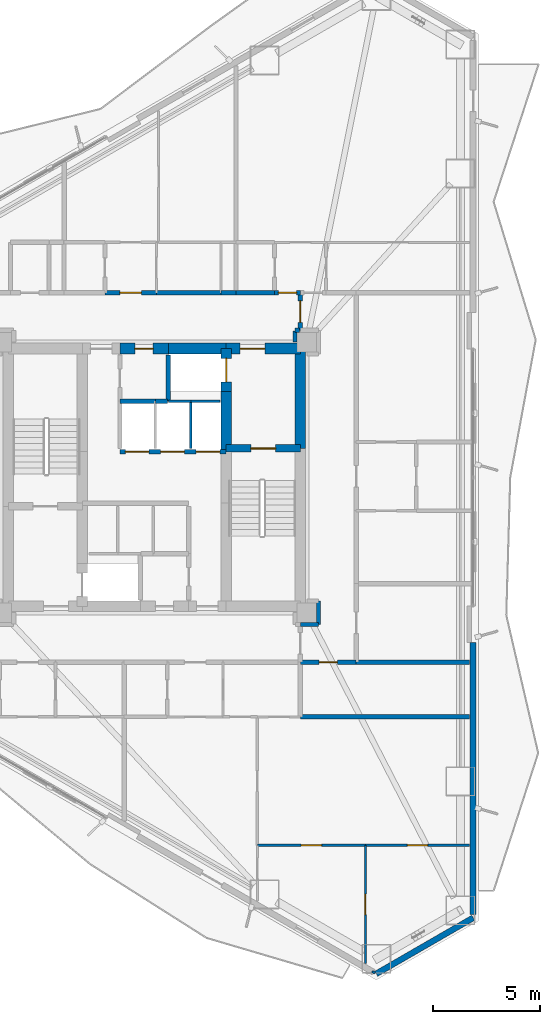
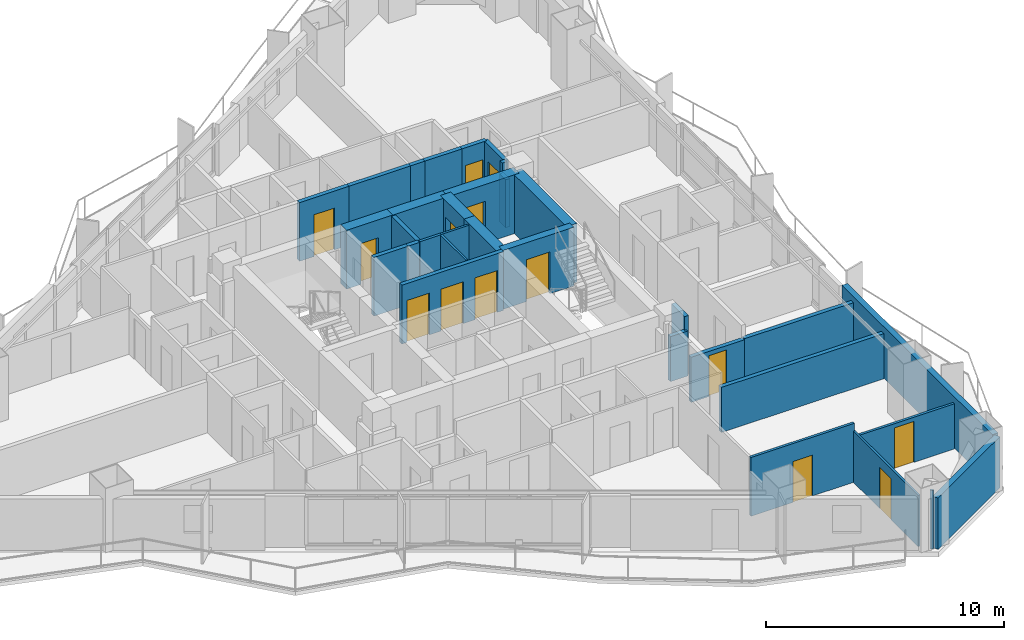
# One storey, part 14 of 18: 33 walls, 14 doors, 14 openings.
"""IFC4 building model written with IfcOpenShell, lengths in metres."""

import ifcopenshell
import ifcopenshell.guid

model = None  # the IFC model being written
_history = None  # IfcOwnerHistory: only IFC2X3 demands one
_inside = {}  # id of a spatial element -> (the spatial element, [elements in it])
_under = {}  # id of a project, library or spatial element -> (it, [spatial elements below it])
_declared = {}  # id of a project -> (the project, [libraries it declares])
_typed = {}  # id of a type object -> (the type object, [elements of that type])
_made_of = {}  # id of a material, layer set ... -> (it, [elements and type objects made of it])


def new_model(schema):
    """Start an empty IFC model of exactly this schema.

    Asked for "IFC4X3", IfcOpenShell would pick the latest addendum, in which some entities
    have other attributes; the version numbers below select the first issue.
    IFC2X3 requires an IfcOwnerHistory on every rooted entity: one is made here for all.
    """
    global model, _history
    if schema == "IFC4X3":
        model = ifcopenshell.file(schema_version=(4, 3, 0, 0))
    else:
        model = ifcopenshell.file(schema=schema)
    _inside.clear()
    _under.clear()
    _declared.clear()
    _typed.clear()
    _made_of.clear()
    _history = None
    if model.schema == "IFC2X3":
        org = make("IfcOrganization", Name="unknown")
        user = make(
            "IfcPersonAndOrganization",
            ThePerson=make("IfcPerson", FamilyName="unknown"),
            TheOrganization=org,
        )
        app = make(
            "IfcApplication",
            ApplicationDeveloper=org,
            Version="unknown",
            ApplicationFullName="unknown",
            ApplicationIdentifier="unknown",
        )
        _history = make(
            "IfcOwnerHistory",
            OwningUser=user,
            OwningApplication=app,
            ChangeAction="ADDED",
            CreationDate=0,
        )
    return model


def make(cls, **values):
    """One entity of the class cls with the attributes given. An attribute that is None is left unset."""
    return model.create_entity(
        cls, **{name: value for name, value in values.items() if value is not None}
    )


def rooted(cls, **values):
    """An entity with a GlobalId (a new one), such as an element, a storey or a relation."""
    return make(cls, GlobalId=ifcopenshell.guid.new(), OwnerHistory=_history, **values)


def si_unit(unit_type, name, prefix=None):
    """IfcSIUnit, for example si_unit("LENGTHUNIT", "METRE", prefix="MILLI")."""
    return make("IfcSIUnit", UnitType=unit_type, Prefix=prefix, Name=name)


def assignment(units):
    """IfcUnitAssignment: the units of a project."""
    return None if units is None else make("IfcUnitAssignment", Units=units)


def point(xyz):
    """IfcCartesianPoint."""
    return None if xyz is None else make("IfcCartesianPoint", Coordinates=xyz)


def direction(xyz):
    """IfcDirection."""
    return None if xyz is None else make("IfcDirection", DirectionRatios=xyz)


def frame(location, z_axis=None, x_axis=None):
    """IfcAxis2Placement3D, a coordinate frame: its origin and axes. An axis left out is left unset."""
    return make(
        "IfcAxis2Placement3D",
        Location=point(location),
        Axis=direction(z_axis),
        RefDirection=direction(x_axis),
    )


def frame_2d(location, x_axis=None):
    """IfcAxis2Placement2D, a coordinate frame in the plane: its origin and x axis."""
    return make(
        "IfcAxis2Placement2D", Location=point(location), RefDirection=direction(x_axis)
    )


def origin():
    """The frame at (0, 0, 0) with its axes left unset."""
    return frame((0.0, 0.0, 0.0))


def place(relative_to, where):
    """IfcLocalPlacement: puts the frame where relative to a parent placement (None: the world)."""
    return make(
        "IfcLocalPlacement", PlacementRelTo=relative_to, RelativePlacement=where
    )


def context(
    kind, dimensions, precision=None, world=None, true_north=None, identifier=None
):
    """IfcGeometricRepresentationContext, for example the 3D "Model" context."""
    return make(
        "IfcGeometricRepresentationContext",
        ContextIdentifier=identifier,
        ContextType=kind,
        CoordinateSpaceDimension=dimensions,
        Precision=precision,
        WorldCoordinateSystem=world,
        TrueNorth=true_north,
    )


def subcontext(parent, identifier, kind, view, scale=None):
    """IfcGeometricRepresentationSubContext, for example "Body" below "Model"."""
    return make(
        "IfcGeometricRepresentationSubContext",
        ContextIdentifier=identifier,
        ContextType=kind,
        ParentContext=parent,
        TargetScale=scale,
        TargetView=view,
    )


def project(units=None, contexts=None):
    """IfcProject with its units and contexts."""
    return rooted(
        "IfcProject",
        Name="project",
        RepresentationContexts=contexts,
        UnitsInContext=assignment(units),
    )


def spatial(cls, under=None, at=None, **own):
    """A site, building, storey or space (cls), placed at a placement, below another one or the project."""
    s = rooted(cls, ObjectPlacement=at, **own)
    if under is not None:
        _under.setdefault(under.id(), (under, []))[1].append(s)
    return s


def profile(cls, at=None, kind="AREA", **sizes):
    """A parametric profile (cls). Its sizes go by their IFC names, for example OverallWidth=200.0."""
    return make(cls, ProfileType=kind, Position=at, **sizes)


def rectangle(**sizes):
    """IfcRectangleProfileDef."""
    return profile("IfcRectangleProfileDef", **sizes)


def extrude(swept, where, along, depth):
    """IfcExtrudedAreaSolid: the profile swept, set in the frame where, extruded along a direction by depth."""
    return make(
        "IfcExtrudedAreaSolid",
        SweptArea=swept,
        Position=where,
        ExtrudedDirection=direction(along),
        Depth=depth,
    )


def shape(context_of_items, identifier, shape_type, items):
    """IfcShapeRepresentation: the items that make up one representation, for example the "Body"."""
    return make(
        "IfcShapeRepresentation",
        ContextOfItems=context_of_items,
        RepresentationIdentifier=identifier,
        RepresentationType=shape_type,
        Items=items,
    )


def material(Name=None, Category=None):
    """IfcMaterial."""
    return make("IfcMaterial", Name=Name, Category=Category)


def layer(
    of_material, thickness, ventilated=None, Name=None, Category=None, Priority=None
):
    """IfcMaterialLayer: one layer of a wall or slab, of a material (None: an air gap)."""
    return make(
        "IfcMaterialLayer",
        Material=of_material,
        LayerThickness=thickness,
        IsVentilated=ventilated,
        Name=Name,
        Category=Category,
        Priority=Priority,
    )


def layer_set(layers, Name=None):
    """IfcMaterialLayerSet."""
    return make("IfcMaterialLayerSet", MaterialLayers=layers, LayerSetName=Name)


def made_of(thing, what):
    """Note that an element or type object is made of a material, layer set ...; save() writes the relation."""
    if what is not None:
        _made_of.setdefault(what.id(), (what, []))[1].append(thing)
    return thing


def type_object(cls, material=None, **own):
    """A type object (cls), such as IfcWallType, which elements share."""
    return made_of(rooted(cls, **own), material)


def element(
    cls,
    number,
    at=None,
    inside=None,
    cuts=None,
    type_object=None,
    material=None,
    context=None,
    identifier="Body",
    shape_type=None,
    held_by="IfcProductDefinitionShape",
    body=None,
    shapes=None,
    **own,
):
    """One element of the class cls, such as IfcWall. Its Tag is "e" and its number.

    at: its placement. inside: the storey or other place that contains it. cuts: it is an
    opening in that element (IfcRelVoidsElement). A single representation is given by context,
    identifier, shape_type and body (its items); several are given by shapes. held_by: the class
    of the entity that holds the representations. save() writes the other relations.
    """
    e = rooted(cls, Tag="e%d" % number, ObjectPlacement=at, **own)
    if body is not None:
        shapes = [shape(context, identifier, shape_type, body)]
    if shapes is not None:
        e.Representation = make(held_by, Representations=shapes)
    if inside is not None:
        _inside.setdefault(inside.id(), (inside, []))[1].append(e)
    if cuts is not None:
        rooted(
            "IfcRelVoidsElement", RelatingBuildingElement=cuts, RelatedOpeningElement=e
        )
    if type_object is not None:
        _typed.setdefault(type_object.id(), (type_object, []))[1].append(e)
    return made_of(e, material)


def fill(opening, filler):
    """IfcRelFillsElement: the door or window that sits in an opening."""
    return rooted(
        "IfcRelFillsElement",
        RelatingOpeningElement=opening,
        RelatedBuildingElement=filler,
    )


def aggregate(whole, parts):
    """IfcRelAggregates: a whole, such as a stair, and the parts it consists of."""
    return rooted("IfcRelAggregates", RelatingObject=whole, RelatedObjects=parts)


def save(model, path):
    """Write the relations noted so far, then the file.

    IfcRelAggregates (storeys below a building ...), IfcRelContainedInSpatialStructure (elements
    in a storey), IfcRelDefinesByType, IfcRelAssociatesMaterial and IfcRelDeclares: one each for
    every whole, place, type object, material and project.
    """
    for whole, parts in _under.values():
        aggregate(whole, parts)
    for where, things in _inside.values():
        rooted(
            "IfcRelContainedInSpatialStructure",
            RelatedElements=things,
            RelatingStructure=where,
        )
    for kind, things in _typed.values():
        rooted("IfcRelDefinesByType", RelatedObjects=things, RelatingType=kind)
    for what, things in _made_of.values():
        rooted("IfcRelAssociatesMaterial", RelatedObjects=things, RelatingMaterial=what)
    for by, libraries in _declared.values():
        rooted("IfcRelDeclares", RelatingContext=by, RelatedDefinitions=libraries)
    model.write(path)


model = new_model("IFC4")

# Units and contexts
model_context = context("Model", 3, precision=1e-05, world=origin(), true_north=direction((0.0, 1.0)))
body_context = subcontext(model_context, "Body", "Model", "MODEL_VIEW")
ifc_project = project(units=[si_unit("LENGTHUNIT", "METRE"), si_unit("AREAUNIT", "SQUARE_METRE"), si_unit("VOLUMEUNIT", "CUBIC_METRE"), si_unit("PLANEANGLEUNIT", "RADIAN"), si_unit("MASSUNIT", "GRAM", prefix="KILO")], contexts=[model_context])

# Site, building, storey
site_placement = place(None, origin())
site = spatial("IfcSite", under=ifc_project, at=site_placement, CompositionType="ELEMENT")
building_placement = place(site_placement, origin())
building = spatial("IfcBuilding", under=site, at=building_placement, Name="Mersakhor Tower and Convention Hall", CompositionType="ELEMENT")
storey_placement = place(building_placement, frame((0.0, 0.0, 58.800048828125)))
storey = spatial("IfcBuildingStorey", under=building, at=storey_placement, Name="L16", CompositionType="ELEMENT", Elevation=58.800048828125)

# Walls
ifc_material_1 = material(Name="Precast concrete C45/55", Category="concrete")
ifc_layer_1 = layer(ifc_material_1, 0.27490234375)
ifc_layer_set_1 = layer_set([ifc_layer_1], Name="Precast concrete C45/55")
wall_type_1 = type_object("IfcWallType", Name="WL-EXT-275", PredefinedType="SOLIDWALL", material=ifc_layer_set_1)
wall_1_placement = place(storey_placement, frame((43.85009765625, 6.240234375, 0.0), z_axis=(0.0, 0.0, 1.0), x_axis=(-0.866043601342, -0.499968479581, 0.0)))
element("IfcWall", 1, at=wall_1_placement, inside=storey, type_object=wall_type_1, Name="L16 Chamfer Braced Spandrel Wall C2", PredefinedType="SOLIDWALL", context=body_context, shape_type="SweptSolid", body=[
    extrude(rectangle(XDim=5.211181640625, YDim=0.27490234375, at=frame_2d((2.60546875, 0.0))), origin(), (0.0, 0.0, 1.0), 2.639892578125),
])
wall_2_placement = place(storey_placement, frame((43.85009765625, 19.0634765625, 0.0), z_axis=(0.0, 0.0, 1.0), x_axis=(0.0, -1.0, 0.0)))
element("IfcWall", 2, at=wall_2_placement, inside=storey, type_object=wall_type_1, Name="L16 Exterior Facade Wall F2-B3", PredefinedType="SOLIDWALL", context=body_context, shape_type="SweptSolid", body=[
    extrude(rectangle(XDim=12.673095703125, YDim=0.27490234375, at=frame_2d((6.33642578125, 0.0))), origin(), (0.0, 0.0, 1.0), 2.639892578125),
])
ifc_material_2 = material(Name="Lightweight gypsum partition", Category="other")
ifc_layer_2 = layer(ifc_material_2, 0.10009765625)
ifc_layer_set_2 = layer_set([ifc_layer_2], Name="Lightweight gypsum partition")
wall_type_2 = type_object("IfcWallType", Name="WL-PRT-100", PredefinedType="PARTITIONING", material=ifc_layer_set_2)
wall_3_placement = place(storey_placement, frame((32.050048828125, 30.300048828125, 0.0), z_axis=(0.0, 0.0, 1.0), x_axis=(-1.0, 0.0, 0.0)))
element("IfcWall", 3, at=wall_3_placement, inside=storey, type_object=wall_type_2, Name="L16 Interior Partition Wall P-004", PredefinedType="PARTITIONING", context=body_context, shape_type="SweptSolid", body=[
    extrude(rectangle(XDim=1.35009765625, YDim=0.10009765625, at=frame_2d((0.675048828125, 0.0))), origin(), (0.0, 0.0, 1.0), 3.02001953125),
])
wall_4_placement = place(storey_placement, frame((30.699951171875, 30.300048828125, 0.0), z_axis=(0.0, 0.0, 1.0), x_axis=(0.0, -1.0, 0.0)))
element("IfcWall", 4, at=wall_4_placement, inside=storey, type_object=wall_type_2, Name="L16 Interior Partition Wall P-016", PredefinedType="PARTITIONING", context=body_context, shape_type="SweptSolid", body=[
    extrude(rectangle(XDim=2.199951171875, YDim=0.10009765625, at=frame_2d((1.10009765625, 0.0))), origin(), (0.0, 0.0, 1.0), 3.02001953125),
])

# Wall, opening, door
wall_5_placement = place(storey_placement, frame((38.830078125, 9.6201171875, 0.0), z_axis=(0.0, 0.0, 1.0), x_axis=(0.0, -1.0, 0.0)))
wall_5 = element("IfcWall", 5, at=wall_5_placement, inside=storey, type_object=wall_type_2, Name="L16 Interior Partition Wall P-134", PredefinedType="PARTITIONING", context=body_context, shape_type="SweptSolid", body=[
    extrude(rectangle(XDim=5.50634765625, YDim=0.10009765625, at=frame_2d((2.753173828125, 0.0))), origin(), (0.0, 0.0, 1.0), 2.63037109375),
])
opening_1_placement = place(wall_5_placement, frame((2.278076171875, 0.0, 0.0)))
opening_1 = element("IfcOpeningElement", 6, at=opening_1_placement, cuts=wall_5, Name="Opening RD-01", PredefinedType="OPENING", context=body_context, shape_type="SweptSolid", body=[
    extrude(rectangle(XDim=0.949951171875, YDim=2.10009765625, at=frame_2d((0.47509765625, 1.050048828125))), frame((0.0, 0.06005859375, 0.0), z_axis=(0.0, -1.0, 0.0), x_axis=(1.0, 0.0, 0.0)), (0.0, 0.0, 1.0), 0.1201171875),
])
ifc_material_3 = material(Name="Solid-core hardwood leaf in painted steel frame", Category="steel")
door_type_1 = type_object("IfcDoorType", Name="DR-INT-RM-095x210", OperationType="NOTDEFINED", PredefinedType="DOOR", material=ifc_material_3)
door_1_placement = place(opening_1_placement, origin())
door_1 = element("IfcDoor", 7, at=door_1_placement, inside=storey, type_object=door_type_1, Name="L16 L16 Flat S5 Bedroom 1 to L16 Flat S5 Study Room Door", OperationType="SINGLE_SWING_LEFT", OverallHeight=2.10009765625, OverallWidth=0.949951171875, PredefinedType="DOOR", context=body_context, shape_type="SweptSolid", body=[
    extrude(rectangle(XDim=0.949951171875, YDim=2.10009765625, at=frame_2d((0.47509765625, 1.050048828125))), frame((0.0, 0.02490234375, 0.0), z_axis=(0.0, -1.0, 0.0), x_axis=(1.0, 0.0, 0.0)), (0.0, 0.0, 1.0), 0.050048828125),
])
fill(opening_1, door_1)

# Walls
wall_6_placement = place(storey_placement, frame((39.2724609375, 3.672119140625, 0.0), z_axis=(0.0, 0.0, 1.0), x_axis=(-0.866442544969, 0.49927679324, 0.0)))
element("IfcWall", 8, at=wall_6_placement, inside=storey, type_object=wall_type_2, Name="L16 Interior Partition Wall P-136", PredefinedType="PARTITIONING", context=body_context, shape_type="SweptSolid", body=[
    extrude(rectangle(XDim=0.142333984375, YDim=0.10009765625, at=frame_2d((0.0712890625, 0.0))), origin(), (0.0, 0.0, 1.0), 3.02001953125),
])
ifc_material_4 = material(Name="Gypsum board acoustic partition", Category="other")
ifc_layer_3 = layer(ifc_material_4, 0.125)
ifc_layer_set_3 = layer_set([ifc_layer_3], Name="Gypsum board acoustic partition")
wall_type_3 = type_object("IfcWallType", Name="WL-PRT-125", PredefinedType="PARTITIONING", material=ifc_layer_set_3)
wall_7_placement = place(storey_placement, frame((30.699951171875, 30.300048828125, 0.0), z_axis=(0.0, 0.0, 1.0), x_axis=(-1.0, 0.0, 0.0)))
element("IfcWall", 9, at=wall_7_placement, inside=storey, type_object=wall_type_3, Name="L16 Interior Partition Wall P-005", PredefinedType="PARTITIONING", context=body_context, shape_type="SweptSolid", body=[
    extrude(rectangle(XDim=1.050048828125, YDim=0.125, at=frame_2d((0.52490234375, 0.0))), origin(), (0.0, 0.0, 1.0), 3.02001953125),
])

# Wall, opening, door
wall_8_placement = place(storey_placement, frame((33.800048828125, 9.6201171875, 0.0), z_axis=(0.0, 0.0, 1.0), x_axis=(1.0, 0.0, 0.0)))
wall_8 = element("IfcWall", 10, at=wall_8_placement, inside=storey, type_object=wall_type_3, Name="L16 Interior Partition Wall P-133", PredefinedType="PARTITIONING", context=body_context, shape_type="SweptSolid", body=[
    extrude(rectangle(XDim=5.030029296875, YDim=0.125, at=frame_2d((2.51513671875, 0.0))), origin(), (0.0, 0.0, 1.0), 3.02001953125),
])
opening_2_placement = place(wall_8_placement, frame((2.0400390625, 0.0, 0.0)))
opening_2 = element("IfcOpeningElement", 11, at=opening_2_placement, cuts=wall_8, Name="Opening RD-01", PredefinedType="OPENING", context=body_context, shape_type="SweptSolid", body=[
    extrude(rectangle(XDim=0.949951171875, YDim=2.10009765625, at=frame_2d((0.47509765625, 1.050048828125))), frame((0.0, 0.072509765625, 0.0), z_axis=(0.0, -1.0, 0.0), x_axis=(1.0, 0.0, 0.0)), (0.0, 0.0, 1.0), 0.14501953125),
])
door_2_placement = place(opening_2_placement, origin())
door_2 = element("IfcDoor", 12, at=door_2_placement, inside=storey, type_object=door_type_1, Name="L16 L16 Flat S5 Bedroom 1 to L16 Flat S5 Dining Room Door", OperationType="SINGLE_SWING_RIGHT", OverallHeight=2.10009765625, OverallWidth=0.949951171875, PredefinedType="DOOR", context=body_context, shape_type="SweptSolid", body=[
    extrude(rectangle(XDim=0.949951171875, YDim=2.10009765625, at=frame_2d((0.47509765625, 1.050048828125))), frame((0.0, 0.02490234375, 0.0), z_axis=(0.0, -1.0, 0.0), x_axis=(1.0, 0.0, 0.0)), (0.0, 0.0, 1.0), 0.050048828125),
])
fill(opening_2, door_2)

wall_9_placement = place(storey_placement, frame((38.830078125, 9.6201171875, 0.0), z_axis=(0.0, 0.0, 1.0), x_axis=(1.0, 0.0, 0.0)))
wall_9 = element("IfcWall", 13, at=wall_9_placement, inside=storey, type_object=wall_type_3, Name="L16 Interior Partition Wall P-135", PredefinedType="PARTITIONING", context=body_context, shape_type="SweptSolid", body=[
    extrude(rectangle(XDim=4.8583984375, YDim=0.125, at=frame_2d((2.42919921875, 0.0))), origin(), (0.0, 0.0, 1.0), 2.3173828125),
])
opening_3_placement = place(wall_9_placement, frame((1.9541015625, 0.0, 0.0)))
opening_3 = element("IfcOpeningElement", 14, at=opening_3_placement, cuts=wall_9, Name="Opening RD-01", PredefinedType="OPENING", context=body_context, shape_type="SweptSolid", body=[
    extrude(rectangle(XDim=0.949951171875, YDim=2.10009765625, at=frame_2d((0.47509765625, 1.050048828125))), frame((0.0, 0.072509765625, 0.0), z_axis=(0.0, -1.0, 0.0), x_axis=(1.0, 0.0, 0.0)), (0.0, 0.0, 1.0), 0.14501953125),
])
door_3_placement = place(opening_3_placement, origin())
door_3 = element("IfcDoor", 15, at=door_3_placement, inside=storey, type_object=door_type_1, Name="L16 L16 Flat S5 Study Room to L16 Flat S5 Dining Room Door", OperationType="SINGLE_SWING_LEFT", OverallHeight=2.10009765625, OverallWidth=0.949951171875, PredefinedType="DOOR", context=body_context, shape_type="SweptSolid", body=[
    extrude(rectangle(XDim=0.949951171875, YDim=2.10009765625, at=frame_2d((0.47509765625, 1.050048828125))), frame((0.0, 0.02490234375, 0.0), z_axis=(0.0, -1.0, 0.0), x_axis=(1.0, 0.0, 0.0)), (0.0, 0.0, 1.0), 0.050048828125),
])
fill(opening_3, door_3)

# Wall, openings, doors
ifc_material_5 = material(Name="Acoustic concrete blockwork and gypsum board", Category="masonry")
ifc_layer_4 = layer(ifc_material_5, 0.199951171875)
ifc_layer_set_4 = layer_set([ifc_layer_4], Name="Acoustic concrete blockwork and gypsum board")
wall_type_4 = type_object("IfcWallType", Name="WL-PRT-200", PredefinedType="PARTITIONING", material=ifc_layer_set_4)
wall_10_placement = place(storey_placement, frame((27.39990234375, 27.949951171875, 0.0), z_axis=(0.0, 0.0, 1.0), x_axis=(1.0, 0.0, 0.0)))
wall_10 = element("IfcWall", 16, at=wall_10_placement, inside=storey, type_object=wall_type_4, Name="L16 Low-Rise Lift Bank Front Wall", PredefinedType="PARTITIONING", context=body_context, shape_type="SweptSolid", body=[
    extrude(rectangle(XDim=4.9501953125, YDim=0.199951171875, at=frame_2d((2.47509765625, 0.0))), origin(), (0.0, 0.0, 1.0), 3.02001953125),
])
opening_4_placement = place(wall_10_placement, frame((0.25, 0.0, 0.0)))
opening_4 = element("IfcOpeningElement", 17, at=opening_4_placement, cuts=wall_10, Name="Opening LD-P1", PredefinedType="OPENING", context=body_context, shape_type="SweptSolid", body=[
    extrude(rectangle(XDim=1.10009765625, YDim=2.14990234375, at=frame_2d((0.550048828125, 1.074951171875))), frame((0.0, 0.10986328125, 0.0), z_axis=(0.0, -1.0, 0.0), x_axis=(1.0, 0.0, 0.0)), (0.0, 0.0, 1.0), 0.219970703125),
])
opening_5_placement = place(wall_10_placement, frame((1.89990234375, 0.0, 0.0)))
opening_5 = element("IfcOpeningElement", 18, at=opening_5_placement, cuts=wall_10, Name="Opening LD-P2", PredefinedType="OPENING", context=body_context, shape_type="SweptSolid", body=[
    extrude(rectangle(XDim=1.10009765625, YDim=2.14990234375, at=frame_2d((0.550048828125, 1.074951171875))), frame((0.0, 0.10986328125, 0.0), z_axis=(0.0, -1.0, 0.0), x_axis=(1.0, 0.0, 0.0)), (0.0, 0.0, 1.0), 0.219970703125),
])
opening_6_placement = place(wall_10_placement, frame((3.550048828125, 0.0, 0.0)))
opening_6 = element("IfcOpeningElement", 19, at=opening_6_placement, cuts=wall_10, Name="Opening LD-P3", PredefinedType="OPENING", context=body_context, shape_type="SweptSolid", body=[
    extrude(rectangle(XDim=1.10009765625, YDim=2.14990234375, at=frame_2d((0.550048828125, 1.074951171875))), frame((0.0, 0.10986328125, 0.0), z_axis=(0.0, -1.0, 0.0), x_axis=(1.0, 0.0, 0.0)), (0.0, 0.0, 1.0), 0.219970703125),
])
ifc_material_6 = material(Name="Fire-rated brushed stainless steel sliding landing door", Category="steel")
door_type_2 = type_object("IfcDoorType", Name="DR-LIFT-SLD-110x215", OperationType="NOTDEFINED", PredefinedType="DOOR", material=ifc_material_6)
door_4_placement = place(opening_4_placement, origin())
door_4 = element("IfcDoor", 20, at=door_4_placement, inside=storey, type_object=door_type_2, Name="L16 Lift Landing Door LD-P1", OperationType="SLIDING_TO_LEFT", OverallHeight=2.14990234375, OverallWidth=1.10009765625, PredefinedType="DOOR", context=body_context, shape_type="SweptSolid", body=[
    extrude(rectangle(XDim=1.10009765625, YDim=2.14990234375, at=frame_2d((0.550048828125, 1.074951171875))), frame((0.0, 0.02490234375, 0.0), z_axis=(0.0, -1.0, 0.0), x_axis=(1.0, 0.0, 0.0)), (0.0, 0.0, 1.0), 0.050048828125),
])
fill(opening_4, door_4)
door_5_placement = place(opening_5_placement, origin())
door_5 = element("IfcDoor", 21, at=door_5_placement, inside=storey, type_object=door_type_2, Name="L16 Lift Landing Door LD-P2", OperationType="SLIDING_TO_LEFT", OverallHeight=2.14990234375, OverallWidth=1.10009765625, PredefinedType="DOOR", context=body_context, shape_type="SweptSolid", body=[
    extrude(rectangle(XDim=1.10009765625, YDim=2.14990234375, at=frame_2d((0.550048828125, 1.074951171875))), frame((0.0, 0.02490234375, 0.0), z_axis=(0.0, -1.0, 0.0), x_axis=(1.0, 0.0, 0.0)), (0.0, 0.0, 1.0), 0.050048828125),
])
fill(opening_5, door_5)
door_6_placement = place(opening_6_placement, origin())
door_6 = element("IfcDoor", 22, at=door_6_placement, inside=storey, type_object=door_type_2, Name="L16 Lift Landing Door LD-P3", OperationType="SLIDING_TO_LEFT", OverallHeight=2.14990234375, OverallWidth=1.10009765625, PredefinedType="DOOR", context=body_context, shape_type="SweptSolid", body=[
    extrude(rectangle(XDim=1.10009765625, YDim=2.14990234375, at=frame_2d((0.550048828125, 1.074951171875))), frame((0.0, 0.02490234375, 0.0), z_axis=(0.0, -1.0, 0.0), x_axis=(1.0, 0.0, 0.0)), (0.0, 0.0, 1.0), 0.050048828125),
])
fill(opening_6, door_6)

# Walls
wall_11_placement = place(storey_placement, frame((29.64990234375, 30.300048828125, 0.0), z_axis=(0.0, 0.0, 1.0), x_axis=(0.0, 1.0, 0.0)))
element("IfcWall", 23, at=wall_11_placement, inside=storey, type_object=wall_type_4, Name="L16 Interior Partition Wall P-006", PredefinedType="PARTITIONING", context=body_context, shape_type="SweptSolid", body=[
    extrude(rectangle(XDim=2.14990234375, YDim=0.199951171875, at=frame_2d((1.074951171875, 0.0))), origin(), (0.0, 0.0, 1.0), 3.02001953125),
])
wall_12_placement = place(storey_placement, frame((27.39990234375, 30.300048828125, 0.0), z_axis=(0.0, 0.0, 1.0), x_axis=(1.0, 0.0, 0.0)))
element("IfcWall", 24, at=wall_12_placement, inside=storey, type_object=wall_type_4, Name="L16 Interior Partition Wall P-012", PredefinedType="PARTITIONING", context=body_context, shape_type="SweptSolid", body=[
    extrude(rectangle(XDim=1.650146484375, YDim=0.199951171875, at=frame_2d((0.8251953125, 0.0))), origin(), (0.0, 0.0, 1.0), 3.02001953125),
])
wall_13_placement = place(storey_placement, frame((29.050048828125, 30.300048828125, 0.0), z_axis=(0.0, 0.0, 1.0), x_axis=(1.0, 0.0, 0.0)))
element("IfcWall", 25, at=wall_13_placement, inside=storey, type_object=wall_type_4, Name="L16 Interior Partition Wall P-015", PredefinedType="PARTITIONING", context=body_context, shape_type="SweptSolid", body=[
    extrude(rectangle(XDim=0.570068359375, YDim=0.199951171875, at=frame_2d((0.28515625, 0.0))), origin(), (0.0, 0.0, 1.0), 3.02001953125),
])

# Wall, opening, door
wall_14_placement = place(storey_placement, frame((26.699951171875, 35.35009765625, 0.0), z_axis=(0.0, 0.0, 1.0), x_axis=(1.0, 0.0, 0.0)))
wall_14 = element("IfcWall", 26, at=wall_14_placement, inside=storey, type_object=wall_type_4, Name="L16 Interior Partition Wall P-042", PredefinedType="PARTITIONING", context=body_context, shape_type="SweptSolid", body=[
    extrude(rectangle(XDim=2.400146484375, YDim=0.199951171875, at=frame_2d((1.2001953125, 0.0))), origin(), (0.0, 0.0, 1.0), 3.02001953125),
])
opening_7_placement = place(wall_14_placement, frame((0.699951171875, 0.0, 0.0)))
opening_7 = element("IfcOpeningElement", 27, at=opening_7_placement, cuts=wall_14, Name="Opening FD-01", PredefinedType="OPENING", context=body_context, shape_type="SweptSolid", body=[
    extrude(rectangle(XDim=1.0, YDim=2.14990234375, at=frame_2d((0.5, 1.074951171875))), frame((0.0, 0.10986328125, 0.0), z_axis=(0.0, -1.0, 0.0), x_axis=(1.0, 0.0, 0.0)), (0.0, 0.0, 1.0), 0.219970703125),
])
ifc_material_7 = material(Name="Fire-rated hardwood leaf and painted steel frame", Category="steel")
door_type_3 = type_object("IfcDoorType", Name="DR-INT-FLT-100x215", OperationType="NOTDEFINED", PredefinedType="DOOR", material=ifc_material_7)
door_7_placement = place(opening_7_placement, origin())
door_7 = element("IfcDoor", 28, at=door_7_placement, inside=storey, type_object=door_type_3, Name="L16 Apartment Entrance Door (Residential Ring Corridor to L16 Flat N2 Apartment Hall)", OperationType="SINGLE_SWING_RIGHT", OverallHeight=2.14990234375, OverallWidth=1.0, PredefinedType="DOOR", context=body_context, shape_type="SweptSolid", body=[
    extrude(rectangle(XDim=1.0, YDim=2.14990234375, at=frame_2d((0.5, 1.074951171875))), frame((0.0, 0.02490234375, 0.0), z_axis=(0.0, -1.0, 0.0), x_axis=(1.0, 0.0, 0.0)), (0.0, 0.0, 1.0), 0.050048828125),
])
fill(opening_7, door_7)

# Walls
wall_15_placement = place(storey_placement, frame((29.10009765625, 35.35009765625, 0.0), z_axis=(0.0, 0.0, 1.0), x_axis=(1.0, 0.0, 0.0)))
element("IfcWall", 29, at=wall_15_placement, inside=storey, type_object=wall_type_4, Name="L16 Interior Partition Wall P-043", PredefinedType="PARTITIONING", context=body_context, shape_type="SweptSolid", body=[
    extrude(rectangle(XDim=3.0, YDim=0.199951171875, at=frame_2d((1.5, 0.0))), origin(), (0.0, 0.0, 1.0), 3.02001953125),
])
wall_16_placement = place(storey_placement, frame((32.10009765625, 35.35009765625, 0.0), z_axis=(0.0, 0.0, 1.0), x_axis=(1.0, 0.0, 0.0)))
element("IfcWall", 30, at=wall_16_placement, inside=storey, type_object=wall_type_4, Name="L16 Interior Partition Wall P-044", PredefinedType="PARTITIONING", context=body_context, shape_type="SweptSolid", body=[
    extrude(rectangle(XDim=0.699951171875, YDim=0.199951171875, at=frame_2d((0.35009765625, 0.0))), origin(), (0.0, 0.0, 1.0), 3.02001953125),
])
wall_17_placement = place(storey_placement, frame((32.800048828125, 35.35009765625, 0.0), z_axis=(0.0, 0.0, 1.0), x_axis=(1.0, 0.0, 0.0)))
element("IfcWall", 31, at=wall_17_placement, inside=storey, type_object=wall_type_4, Name="L16 Interior Partition Wall P-045", PredefinedType="PARTITIONING", context=body_context, shape_type="SweptSolid", body=[
    extrude(rectangle(XDim=1.800048828125, YDim=0.199951171875, at=frame_2d((0.89990234375, 0.0))), origin(), (0.0, 0.0, 1.0), 3.02001953125),
])

# Wall, opening, door
wall_18_placement = place(storey_placement, frame((34.60009765625, 35.35009765625, 0.0), z_axis=(0.0, 0.0, 1.0), x_axis=(1.0, 0.0, 0.0)))
wall_18 = element("IfcWall", 32, at=wall_18_placement, inside=storey, type_object=wall_type_4, Name="L16 Interior Partition Wall P-046", PredefinedType="PARTITIONING", context=body_context, shape_type="SweptSolid", body=[
    extrude(rectangle(XDim=1.199951171875, YDim=0.199951171875, at=frame_2d((0.60009765625, 0.0))), origin(), (0.0, 0.0, 1.0), 3.02001953125),
])
opening_8_placement = place(wall_18_placement, frame((0.175048828125, 0.0, 0.0)))
opening_8 = element("IfcOpeningElement", 33, at=opening_8_placement, cuts=wall_18, Name="Opening SVD-01", PredefinedType="OPENING", context=body_context, shape_type="SweptSolid", body=[
    extrude(rectangle(XDim=0.85009765625, YDim=2.10009765625, at=frame_2d((0.425048828125, 1.050048828125))), frame((0.0, 0.10986328125, 0.0), z_axis=(0.0, -1.0, 0.0), x_axis=(1.0, 0.0, 0.0)), (0.0, 0.0, 1.0), 0.219970703125),
])
ifc_material_8 = material(Name="Fire-rated hardwood leaf and painted steel frame", Category="steel")
door_type_4 = type_object("IfcDoorType", Name="DR-INT-SVC-085x210", OperationType="NOTDEFINED", PredefinedType="DOOR", material=ifc_material_8)
door_8_placement = place(opening_8_placement, origin())
door_8 = element("IfcDoor", 34, at=door_8_placement, inside=storey, type_object=door_type_4, Name="L16 Apartment Entrance Door (Residential Ring Corridor to L16 Flat N3 Apartment Hall)", OperationType="SINGLE_SWING_LEFT", OverallHeight=2.10009765625, OverallWidth=0.85009765625, PredefinedType="DOOR", context=body_context, shape_type="SweptSolid", body=[
    extrude(rectangle(XDim=0.85009765625, YDim=2.10009765625, at=frame_2d((0.425048828125, 1.050048828125))), frame((0.0, 0.02490234375, 0.0), z_axis=(0.0, -1.0, 0.0), x_axis=(1.0, 0.0, 0.0)), (0.0, 0.0, 1.0), 0.050048828125),
])
fill(opening_8, door_8)

wall_19_placement = place(storey_placement, frame((35.800048828125, 35.35009765625, 0.0), z_axis=(0.0, 0.0, 1.0), x_axis=(0.0, -1.0, 0.0)))
wall_19 = element("IfcWall", 35, at=wall_19_placement, inside=storey, type_object=wall_type_4, Name="L16 Interior Partition Wall P-047", PredefinedType="PARTITIONING", context=body_context, shape_type="SweptSolid", body=[
    extrude(rectangle(XDim=1.75, YDim=0.199951171875, at=frame_2d((0.875, 0.0))), origin(), (0.0, 0.0, 1.0), 3.02001953125),
])
opening_9_placement = place(wall_19_placement, frame((0.375, 0.0, 0.0)))
opening_9 = element("IfcOpeningElement", 36, at=opening_9_placement, cuts=wall_19, Name="Opening FD-01", PredefinedType="OPENING", context=body_context, shape_type="SweptSolid", body=[
    extrude(rectangle(XDim=1.0, YDim=2.14990234375, at=frame_2d((0.5, 1.074951171875))), frame((0.0, 0.10986328125, 0.0), z_axis=(0.0, -1.0, 0.0), x_axis=(1.0, 0.0, 0.0)), (0.0, 0.0, 1.0), 0.219970703125),
])
door_9_placement = place(opening_9_placement, origin())
door_9 = element("IfcDoor", 37, at=door_9_placement, inside=storey, type_object=door_type_3, Name="L16 Ring Corridor Fire Door", OperationType="SINGLE_SWING_LEFT", OverallHeight=2.14990234375, OverallWidth=1.0, PredefinedType="DOOR", context=body_context, shape_type="SweptSolid", body=[
    extrude(rectangle(XDim=1.0, YDim=2.14990234375, at=frame_2d((0.5, 1.074951171875))), frame((0.0, 0.02490234375, 0.0), z_axis=(0.0, -1.0, 0.0), x_axis=(1.0, 0.0, 0.0)), (0.0, 0.0, 1.0), 0.050048828125),
])
fill(opening_9, door_9)

# Walls
wall_20_placement = place(storey_placement, frame((35.77001953125, 33.60009765625, 0.0), z_axis=(0.0, 0.0, 1.0), x_axis=(-1.0, 0.0, 0.0)))
element("IfcWall", 38, at=wall_20_placement, inside=storey, type_object=wall_type_4, Name="L16 Interior Partition Wall P-048", PredefinedType="PARTITIONING", context=body_context, shape_type="SweptSolid", body=[
    extrude(rectangle(XDim=0.219970703125, YDim=0.199951171875, at=frame_2d((0.10986328125, 0.0))), origin(), (0.0, 0.0, 1.0), 3.02001953125),
])
wall_21_placement = place(storey_placement, frame((35.550048828125, 33.570068359375, 0.0), z_axis=(0.0, 0.0, 1.0), x_axis=(0.0, -1.0, 0.0)))
element("IfcWall", 39, at=wall_21_placement, inside=storey, type_object=wall_type_4, Name="L16 Interior Partition Wall P-049", PredefinedType="PARTITIONING", context=body_context, shape_type="SweptSolid", body=[
    extrude(rectangle(XDim=0.52001953125, YDim=0.199951171875, at=frame_2d((0.260009765625, 0.0))), origin(), (0.0, 0.0, 1.0), 2.46826171875),
])

# Wall, opening, door
wall_22_placement = place(storey_placement, frame((38.39990234375, 18.14990234375, 0.0), z_axis=(0.0, 0.0, 1.0), x_axis=(-1.0, 0.0, 0.0)))
wall_22 = element("IfcWall", 40, at=wall_22_placement, inside=storey, type_object=wall_type_4, Name="L16 Interior Partition Wall P-066", PredefinedType="PARTITIONING", context=body_context, shape_type="SweptSolid", body=[
    extrude(rectangle(XDim=2.599853515625, YDim=0.199951171875, at=frame_2d((1.2998046875, 0.0))), origin(), (0.0, 0.0, 1.0), 2.3173828125),
])
opening_10_placement = place(wall_22_placement, frame((0.875, 0.0, 0.0)))
opening_10 = element("IfcOpeningElement", 41, at=opening_10_placement, cuts=wall_22, Name="Opening SVD-01", PredefinedType="OPENING", context=body_context, shape_type="SweptSolid", body=[
    extrude(rectangle(XDim=0.85009765625, YDim=2.10009765625, at=frame_2d((0.425048828125, 1.050048828125))), frame((0.0, 0.10986328125, 0.0), z_axis=(0.0, -1.0, 0.0), x_axis=(1.0, 0.0, 0.0)), (0.0, 0.0, 1.0), 0.219970703125),
])
door_10_placement = place(opening_10_placement, origin())
door_10 = element("IfcDoor", 42, at=door_10_placement, inside=storey, type_object=door_type_4, Name="L16 Residential Ring East Corridor to L16 South Wing Household Store Room Door", OperationType="SINGLE_SWING_RIGHT", OverallHeight=2.10009765625, OverallWidth=0.85009765625, PredefinedType="DOOR", context=body_context, shape_type="SweptSolid", body=[
    extrude(rectangle(XDim=0.85009765625, YDim=2.10009765625, at=frame_2d((0.425048828125, 1.050048828125))), frame((0.0, 0.02490234375, 0.0), z_axis=(0.0, -1.0, 0.0), x_axis=(1.0, 0.0, 0.0)), (0.0, 0.0, 1.0), 0.050048828125),
])
fill(opening_10, door_10)

# Walls
wall_23_placement = place(storey_placement, frame((35.800048828125, 19.89990234375, 0.0), z_axis=(0.0, 0.0, 1.0), x_axis=(1.0, 0.0, 0.0)))
element("IfcWall", 43, at=wall_23_placement, inside=storey, type_object=wall_type_4, Name="L16 Interior Partition Wall P-067", PredefinedType="PARTITIONING", context=body_context, shape_type="SweptSolid", body=[
    extrude(rectangle(XDim=0.849853515625, YDim=0.199951171875, at=frame_2d((0.4248046875, 0.0))), origin(), (0.0, 0.0, 1.0), 2.3173828125),
])
wall_24_placement = place(storey_placement, frame((36.64990234375, 19.89990234375, 0.0), z_axis=(0.0, 0.0, 1.0), x_axis=(0.0, 1.0, 0.0)))
element("IfcWall", 44, at=wall_24_placement, inside=storey, type_object=wall_type_4, Name="L16 Interior Partition Wall P-068", PredefinedType="PARTITIONING", context=body_context, shape_type="SweptSolid", body=[
    extrude(rectangle(XDim=1.10009765625, YDim=0.199951171875, at=frame_2d((0.550048828125, 0.0))), origin(), (0.0, 0.0, 1.0), 3.02001953125),
])
wall_25_placement = place(storey_placement, frame((38.39990234375, 18.14990234375, 0.0), z_axis=(0.0, 0.0, 1.0), x_axis=(1.0, 0.0, 0.0)))
element("IfcWall", 45, at=wall_25_placement, inside=storey, type_object=wall_type_4, Name="L16 Interior Partition Wall P-121", PredefinedType="PARTITIONING", context=body_context, shape_type="SweptSolid", body=[
    extrude(rectangle(XDim=5.28857421875, YDim=0.199951171875, at=frame_2d((2.644287109375, 0.0))), origin(), (0.0, 0.0, 1.0), 2.364990234375),
])
wall_26_placement = place(storey_placement, frame((43.6884765625, 15.60009765625, 0.0), z_axis=(0.0, 0.0, 1.0), x_axis=(-1.0, 0.0, 0.0)))
element("IfcWall", 46, at=wall_26_placement, inside=storey, type_object=wall_type_4, Name="L16 Interior Partition Wall P-122", PredefinedType="PARTITIONING", context=body_context, shape_type="SweptSolid", body=[
    extrude(rectangle(XDim=7.888427734375, YDim=0.199951171875, at=frame_2d((3.9443359375, 0.0))), origin(), (0.0, 0.0, 1.0), 2.3173828125),
])

# Wall, opening, door
ifc_material_9 = material(Name="Concrete C50/60", Category="concrete")
ifc_layer_5 = layer(ifc_material_9, 0.35009765625)
ifc_layer_set_5 = layer_set([ifc_layer_5], Name="Concrete C50/60")
wall_type_5 = type_object("IfcWallType", Name="WL-SHR-350", PredefinedType="SHEAR", material=ifc_layer_set_5)
wall_27_placement = place(storey_placement, frame((32.35009765625, 28.10009765625, 0.0), z_axis=(0.0, 0.0, 1.0), x_axis=(1.0, 0.0, 0.0)))
wall_27 = element("IfcWall", 47, at=wall_27_placement, inside=storey, type_object=wall_type_5, Name="L16 Core Wall CS-ST2-N", PredefinedType="SHEAR", context=body_context, shape_type="SweptSolid", body=[
    extrude(rectangle(XDim=3.449951171875, YDim=0.35009765625, at=frame_2d((1.72509765625, 0.0))), origin(), (0.0, 0.0, 1.0), 3.02001953125),
])
opening_11_placement = place(wall_27_placement, frame((1.14990234375, 0.0, 0.0)))
opening_11 = element("IfcOpeningElement", 48, at=opening_11_placement, cuts=wall_27, Name="Opening SD-01", PredefinedType="OPENING", context=body_context, shape_type="SweptSolid", body=[
    extrude(rectangle(XDim=1.14990234375, YDim=2.14990234375, at=frame_2d((0.574951171875, 1.074951171875))), frame((0.0, 0.18505859375, 0.0), z_axis=(0.0, -1.0, 0.0), x_axis=(1.0, 0.0, 0.0)), (0.0, 0.0, 1.0), 0.3701171875),
])
ifc_material_10 = material(Name="Fire-rated hardwood leaf and painted steel frame", Category="steel")
door_type_5 = type_object("IfcDoorType", Name="DR-INT-STAIR-115x215", OperationType="NOTDEFINED", PredefinedType="DOOR", material=ifc_material_10)
door_11_placement = place(opening_11_placement, origin())
door_11 = element("IfcDoor", 49, at=door_11_placement, inside=storey, type_object=door_type_5, Name="L16 Exit Stair ST-2 Enclosure Door", OperationType="SINGLE_SWING_RIGHT", OverallHeight=2.14990234375, OverallWidth=1.14990234375, PredefinedType="DOOR", context=body_context, shape_type="SweptSolid", body=[
    extrude(rectangle(XDim=1.14990234375, YDim=2.14990234375, at=frame_2d((0.574951171875, 1.074951171875))), frame((0.0, 0.02490234375, 0.0), z_axis=(0.0, -1.0, 0.0), x_axis=(1.0, 0.0, 0.0)), (0.0, 0.0, 1.0), 0.050048828125),
])
fill(opening_11, door_11)

ifc_material_11 = material(Name="Concrete C70/85", Category="concrete")
ifc_layer_6 = layer(ifc_material_11, 0.5)
ifc_layer_set_6 = layer_set([ifc_layer_6], Name="Concrete C70/85")
wall_type_6 = type_object("IfcWallType", Name="WL-SHR-500", PredefinedType="SHEAR", material=ifc_layer_set_6)
wall_28_placement = place(storey_placement, frame((27.39990234375, 32.75, 0.0), z_axis=(0.0, 0.0, 1.0), x_axis=(1.0, 0.0, 0.0)))
wall_28 = element("IfcWall", 50, at=wall_28_placement, inside=storey, type_object=wall_type_6, Name="L16 Core Wall CW-N2B", PredefinedType="SHEAR", context=body_context, shape_type="SweptSolid", body=[
    extrude(rectangle(XDim=2.25, YDim=0.5, at=frame_2d((1.125, 0.0))), origin(), (0.0, 0.0, 1.0), 3.02001953125),
])
opening_12_placement = place(wall_28_placement, frame((0.699951171875, 0.0, 0.0)))
opening_12 = element("IfcOpeningElement", 51, at=opening_12_placement, cuts=wall_28, Name="Opening SVD-01", PredefinedType="OPENING", context=body_context, shape_type="SweptSolid", body=[
    extrude(rectangle(XDim=0.85009765625, YDim=2.10009765625, at=frame_2d((0.425048828125, 1.050048828125))), frame((0.0, 0.260009765625, 0.0), z_axis=(0.0, -1.0, 0.0), x_axis=(1.0, 0.0, 0.0)), (0.0, 0.0, 1.0), 0.52001953125),
])
door_12_placement = place(opening_12_placement, origin())
door_12 = element("IfcDoor", 52, at=door_12_placement, inside=storey, type_object=door_type_4, Name="L16 Residential Ring Corridor to Telecoms and BMS Riser Room Door", OperationType="SINGLE_SWING_RIGHT", OverallHeight=2.10009765625, OverallWidth=0.85009765625, PredefinedType="DOOR", context=body_context, shape_type="SweptSolid", body=[
    extrude(rectangle(XDim=0.85009765625, YDim=2.10009765625, at=frame_2d((0.425048828125, 1.050048828125))), frame((0.0, 0.02490234375, 0.0), z_axis=(0.0, -1.0, 0.0), x_axis=(1.0, 0.0, 0.0)), (0.0, 0.0, 1.0), 0.050048828125),
])
fill(opening_12, door_12)

# Wall
wall_29_placement = place(storey_placement, frame((29.64990234375, 32.75, 0.0), z_axis=(0.0, 0.0, 1.0), x_axis=(1.0, 0.0, 0.0)))
element("IfcWall", 53, at=wall_29_placement, inside=storey, type_object=wall_type_6, Name="L16 Core Wall CW-N3", PredefinedType="SHEAR", context=body_context, shape_type="SweptSolid", body=[
    extrude(rectangle(XDim=2.7001953125, YDim=0.5, at=frame_2d((1.35009765625, 0.0))), origin(), (0.0, 0.0, 1.0), 3.02001953125),
])

# Wall, opening, door
wall_30_placement = place(storey_placement, frame((32.35009765625, 32.75, 0.0), z_axis=(0.0, 0.0, 1.0), x_axis=(1.0, 0.0, 0.0)))
wall_30 = element("IfcWall", 54, at=wall_30_placement, inside=storey, type_object=wall_type_6, Name="L16 Core Wall CW-N4", PredefinedType="SHEAR", context=body_context, shape_type="SweptSolid", body=[
    extrude(rectangle(XDim=3.449951171875, YDim=0.5, at=frame_2d((1.72509765625, 0.0))), origin(), (0.0, 0.0, 1.0), 3.02001953125),
])
opening_13_placement = place(wall_30_placement, frame((0.64990234375, 0.0, 0.0)))
opening_13 = element("IfcOpeningElement", 55, at=opening_13_placement, cuts=wall_30, Name="Opening SD-01", PredefinedType="OPENING", context=body_context, shape_type="SweptSolid", body=[
    extrude(rectangle(XDim=1.14990234375, YDim=2.14990234375, at=frame_2d((0.574951171875, 1.074951171875))), frame((0.0, 0.260009765625, 0.0), z_axis=(0.0, -1.0, 0.0), x_axis=(1.0, 0.0, 0.0)), (0.0, 0.0, 1.0), 0.52001953125),
])
door_13_placement = place(opening_13_placement, origin())
door_13 = element("IfcDoor", 56, at=door_13_placement, inside=storey, type_object=door_type_5, Name="L16 Firefighting Lobby East Fire Door", OperationType="SINGLE_SWING_RIGHT", OverallHeight=2.14990234375, OverallWidth=1.14990234375, PredefinedType="DOOR", context=body_context, shape_type="SweptSolid", body=[
    extrude(rectangle(XDim=1.14990234375, YDim=2.14990234375, at=frame_2d((0.574951171875, 1.074951171875))), frame((0.0, 0.02490234375, 0.0), z_axis=(0.0, -1.0, 0.0), x_axis=(1.0, 0.0, 0.0)), (0.0, 0.0, 1.0), 0.050048828125),
])
fill(opening_13, door_13)

# Walls
wall_31_placement = place(storey_placement, frame((35.800048828125, 32.75, 0.0), z_axis=(0.0, 0.0, 1.0), x_axis=(0.0, -1.0, 0.0)))
element("IfcWall", 57, at=wall_31_placement, inside=storey, type_object=wall_type_6, Name="L16 Core Wall CW-E1", PredefinedType="SHEAR", context=body_context, shape_type="SweptSolid", body=[
    extrude(rectangle(XDim=4.64990234375, YDim=0.5, at=frame_2d((2.324951171875, 0.0))), origin(), (0.0, 0.0, 1.0), 3.02001953125),
])
wall_32_placement = place(storey_placement, frame((32.35009765625, 27.949951171875, 0.0), z_axis=(0.0, 0.0, 1.0), x_axis=(0.0, 1.0, 0.0)))
element("IfcWall", 58, at=wall_32_placement, inside=storey, type_object=wall_type_6, Name="L16 Core Wall CS-E-MID", PredefinedType="SHEAR", context=body_context, shape_type="SweptSolid", body=[
    extrude(rectangle(XDim=2.800048828125, YDim=0.5, at=frame_2d((1.39990234375, 0.0))), origin(), (0.0, 0.0, 1.0), 3.02001953125),
])

# Wall, opening, door
wall_33_placement = place(storey_placement, frame((32.35009765625, 30.75, 0.0), z_axis=(0.0, 0.0, 1.0), x_axis=(0.0, 1.0, 0.0)))
wall_33 = element("IfcWall", 59, at=wall_33_placement, inside=storey, type_object=wall_type_6, Name="L16 Core Wall CS-E-FFL", PredefinedType="SHEAR", context=body_context, shape_type="SweptSolid", body=[
    extrude(rectangle(XDim=2.0, YDim=0.5, at=frame_2d((1.0, 0.0))), origin(), (0.0, 0.0, 1.0), 3.02001953125),
])
opening_14_placement = place(wall_33_placement, frame((0.449951171875, 0.0, 0.0)))
opening_14 = element("IfcOpeningElement", 60, at=opening_14_placement, cuts=wall_33, Name="Opening LD-FFL2", PredefinedType="OPENING", context=body_context, shape_type="SweptSolid", body=[
    extrude(rectangle(XDim=1.10009765625, YDim=2.14990234375, at=frame_2d((0.550048828125, 1.074951171875))), frame((0.0, 0.260009765625, 0.0), z_axis=(0.0, -1.0, 0.0), x_axis=(1.0, 0.0, 0.0)), (0.0, 0.0, 1.0), 0.52001953125),
])
door_14_placement = place(opening_14_placement, origin())
door_14 = element("IfcDoor", 61, at=door_14_placement, inside=storey, type_object=door_type_2, Name="L16 Firefighting Lift Landing Door LD-FFL2", OperationType="SLIDING_TO_LEFT", OverallHeight=2.14990234375, OverallWidth=1.10009765625, PredefinedType="DOOR", context=body_context, shape_type="SweptSolid", body=[
    extrude(rectangle(XDim=1.10009765625, YDim=2.14990234375, at=frame_2d((0.550048828125, 1.074951171875))), frame((0.0, 0.02490234375, 0.0), z_axis=(0.0, -1.0, 0.0), x_axis=(1.0, 0.0, 0.0)), (0.0, 0.0, 1.0), 0.050048828125),
])
fill(opening_14, door_14)

save(model, "model.ifc")
